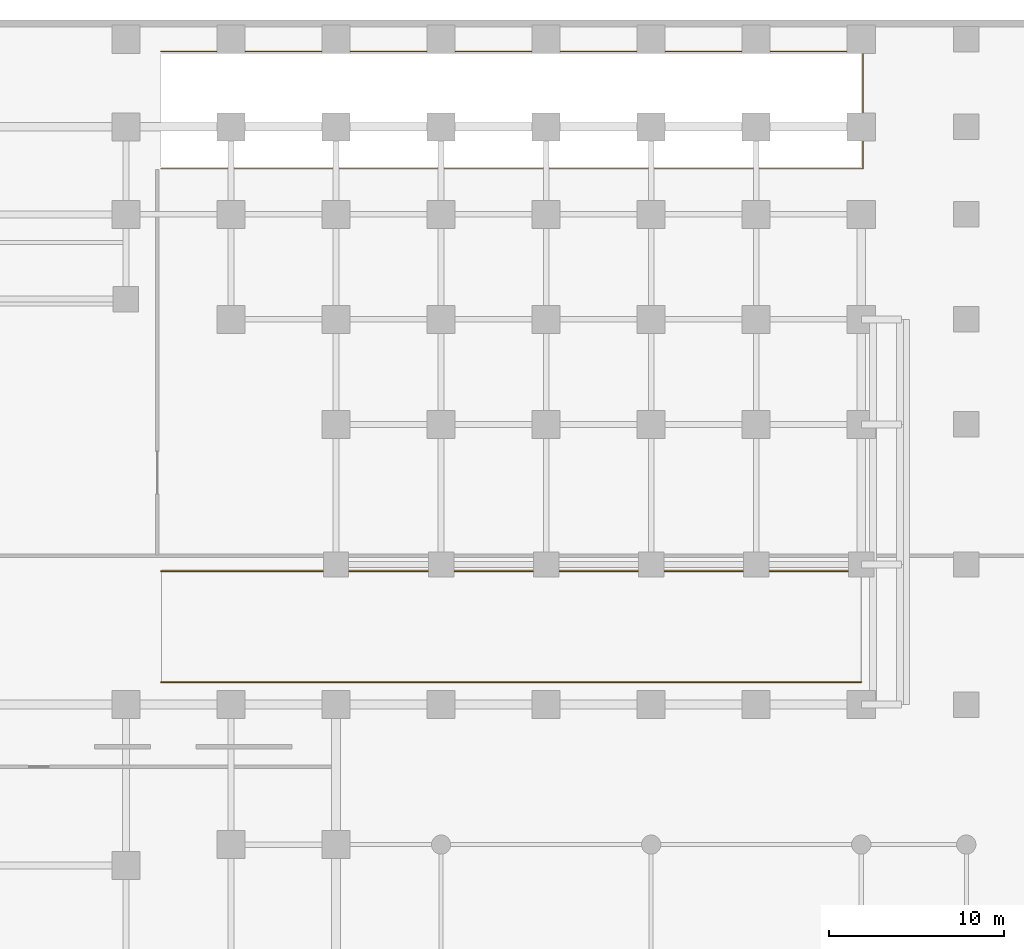
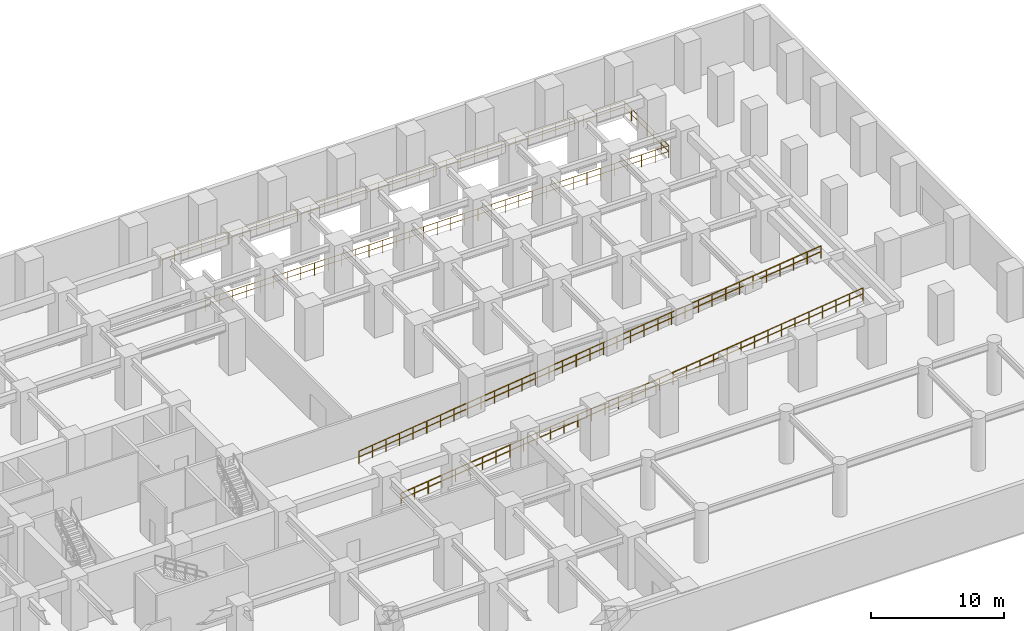
# One storey, part 9 of 9: 3 railings.
"""IFC4 building model written with IfcOpenShell, lengths in metres."""

from ifc_helpers import new_model, si_unit, direction, frame, origin, origin_2d, place, context, subcontext, project, spatial, circle, extrude, material, type_object, element, save


model = new_model("IFC4")

# Units and contexts
model_context = context("Model", 3, precision=1e-05, world=origin(), true_north=direction((0.0, 1.0)))
body_context = subcontext(model_context, "Body", "Model", "MODEL_VIEW")
ifc_project = project(units=[si_unit("LENGTHUNIT", "METRE"), si_unit("AREAUNIT", "SQUARE_METRE"), si_unit("VOLUMEUNIT", "CUBIC_METRE"), si_unit("PLANEANGLEUNIT", "RADIAN"), si_unit("MASSUNIT", "GRAM", prefix="KILO")], contexts=[model_context])

# Site, building, storey
site_placement = place(None, origin())
site = spatial("IfcSite", under=ifc_project, at=site_placement, CompositionType="ELEMENT")
building_placement = place(site_placement, origin())
building = spatial("IfcBuilding", under=site, at=building_placement, Name="Torre Montelarca", CompositionType="ELEMENT")
storey_placement = place(building_placement, frame((0.0, 0.0, -4.800048828125)))
storey = spatial("IfcBuildingStorey", under=building, at=storey_placement, Name="B1", CompositionType="ELEMENT", Elevation=-4.800048828125)

# Railings
ifc_material = material(Name="Stainless steel AISI 316 and laminated glass", Category="steel")
railing_type = type_object("IfcRailingType", Name="RL-INT-GUARD-1150", PredefinedType="BALUSTRADE", material=ifc_material)
railing_1_placement = place(storey_placement, frame((38.0, 54.60009765625, 0.0)))
element("IfcRailing", 1, at=railing_1_placement, inside=storey, type_object=railing_type, Name="B1 Vehicle Ramp Well Perimeter Guard", PredefinedType="BALUSTRADE", context=body_context, shape_type="SweptSolid", body=[
    extrude(circle(Radius=0.02392578125, at=origin_2d()), frame((0.0, 0.0, 1.1259765625), z_axis=(1.0, 0.0, 0.0), x_axis=(0.0, 1.0, 0.0)), (0.0, 0.0, 1.0), 40.10009765625),
    extrude(circle(Radius=0.02099609375, at=origin_2d()), frame((0.0, 0.0, 0.597900390625), z_axis=(1.0, 0.0, 0.0), x_axis=(0.0, 1.0, 0.0)), (0.0, 0.0, 1.0), 40.10009765625),
    extrude(circle(Radius=0.02392578125, at=origin_2d()), frame((40.10009765625, 0.0, 1.1259765625), z_axis=(0.0, 1.0, 0.0), x_axis=(-1.0, 0.0, 0.0)), (0.0, 0.0, 1.0), 6.699951171875),
    extrude(circle(Radius=0.02099609375, at=origin_2d()), frame((40.10009765625, 0.0, 0.597900390625), z_axis=(0.0, 1.0, 0.0), x_axis=(-1.0, 0.0, 0.0)), (0.0, 0.0, 1.0), 6.699951171875),
    extrude(circle(Radius=0.02392578125, at=origin_2d()), frame((40.10009765625, 6.699951171875, 1.1259765625), z_axis=(-1.0, 0.0, 0.0), x_axis=(0.0, -1.0, 0.0)), (0.0, 0.0, 1.0), 40.10009765625),
    extrude(circle(Radius=0.02099609375, at=origin_2d()), frame((40.10009765625, 6.699951171875, 0.597900390625), z_axis=(-1.0, 0.0, 0.0), x_axis=(0.0, -1.0, 0.0)), (0.0, 0.0, 1.0), 40.10009765625),
    extrude(circle(Radius=0.02099609375, at=origin_2d()), origin(), (0.0, 0.0, 1.0), 1.101806640625),
    extrude(circle(Radius=0.02099609375, at=origin_2d()), frame((1.179443359375, 0.0, 0.0)), (0.0, 0.0, 1.0), 1.101806640625),
    extrude(circle(Radius=0.02099609375, at=origin_2d()), frame((2.35888671875, 0.0, 0.0)), (0.0, 0.0, 1.0), 1.101806640625),
    extrude(circle(Radius=0.02099609375, at=origin_2d()), frame((3.538330078125, 0.0, 0.0)), (0.0, 0.0, 1.0), 1.101806640625),
    extrude(circle(Radius=0.02099609375, at=origin_2d()), frame((4.7177734375, 0.0, 0.0)), (0.0, 0.0, 1.0), 1.101806640625),
    extrude(circle(Radius=0.02099609375, at=origin_2d()), frame((5.89697265625, 0.0, 0.0)), (0.0, 0.0, 1.0), 1.101806640625),
    extrude(circle(Radius=0.02099609375, at=origin_2d()), frame((7.076416015625, 0.0, 0.0)), (0.0, 0.0, 1.0), 1.101806640625),
    extrude(circle(Radius=0.02099609375, at=origin_2d()), frame((8.255859375, 0.0, 0.0)), (0.0, 0.0, 1.0), 1.101806640625),
    extrude(circle(Radius=0.02099609375, at=origin_2d()), frame((9.435302734375, 0.0, 0.0)), (0.0, 0.0, 1.0), 1.101806640625),
    extrude(circle(Radius=0.02099609375, at=origin_2d()), frame((10.61474609375, 0.0, 0.0)), (0.0, 0.0, 1.0), 1.101806640625),
    extrude(circle(Radius=0.02099609375, at=origin_2d()), frame((11.794189453125, 0.0, 0.0)), (0.0, 0.0, 1.0), 1.101806640625),
    extrude(circle(Radius=0.02099609375, at=origin_2d()), frame((12.9736328125, 0.0, 0.0)), (0.0, 0.0, 1.0), 1.101806640625),
    extrude(circle(Radius=0.02099609375, at=origin_2d()), frame((14.153076171875, 0.0, 0.0)), (0.0, 0.0, 1.0), 1.101806640625),
    extrude(circle(Radius=0.02099609375, at=origin_2d()), frame((15.332275390625, 0.0, 0.0)), (0.0, 0.0, 1.0), 1.101806640625),
    extrude(circle(Radius=0.02099609375, at=origin_2d()), frame((16.51171875, 0.0, 0.0)), (0.0, 0.0, 1.0), 1.101806640625),
    extrude(circle(Radius=0.02099609375, at=origin_2d()), frame((17.691162109375, 0.0, 0.0)), (0.0, 0.0, 1.0), 1.101806640625),
    extrude(circle(Radius=0.02099609375, at=origin_2d()), frame((18.87060546875, 0.0, 0.0)), (0.0, 0.0, 1.0), 1.101806640625),
    extrude(circle(Radius=0.02099609375, at=origin_2d()), frame((20.050048828125, 0.0, 0.0)), (0.0, 0.0, 1.0), 1.101806640625),
    extrude(circle(Radius=0.02099609375, at=origin_2d()), frame((21.2294921875, 0.0, 0.0)), (0.0, 0.0, 1.0), 1.101806640625),
    extrude(circle(Radius=0.02099609375, at=origin_2d()), frame((22.408935546875, 0.0, 0.0)), (0.0, 0.0, 1.0), 1.101806640625),
    extrude(circle(Radius=0.02099609375, at=origin_2d()), frame((23.58837890625, 0.0, 0.0)), (0.0, 0.0, 1.0), 1.101806640625),
    extrude(circle(Radius=0.02099609375, at=origin_2d()), frame((24.767822265625, 0.0, 0.0)), (0.0, 0.0, 1.0), 1.101806640625),
    extrude(circle(Radius=0.02099609375, at=origin_2d()), frame((25.947021484375, 0.0, 0.0)), (0.0, 0.0, 1.0), 1.101806640625),
    extrude(circle(Radius=0.02099609375, at=origin_2d()), frame((27.12646484375, 0.0, 0.0)), (0.0, 0.0, 1.0), 1.101806640625),
    extrude(circle(Radius=0.02099609375, at=origin_2d()), frame((28.305908203125, 0.0, 0.0)), (0.0, 0.0, 1.0), 1.101806640625),
    extrude(circle(Radius=0.02099609375, at=origin_2d()), frame((29.4853515625, 0.0, 0.0)), (0.0, 0.0, 1.0), 1.101806640625),
    extrude(circle(Radius=0.02099609375, at=origin_2d()), frame((30.664794921875, 0.0, 0.0)), (0.0, 0.0, 1.0), 1.101806640625),
    extrude(circle(Radius=0.02099609375, at=origin_2d()), frame((31.84423828125, 0.0, 0.0)), (0.0, 0.0, 1.0), 1.101806640625),
    extrude(circle(Radius=0.02099609375, at=origin_2d()), frame((33.023681640625, 0.0, 0.0)), (0.0, 0.0, 1.0), 1.101806640625),
    extrude(circle(Radius=0.02099609375, at=origin_2d()), frame((34.203125, 0.0, 0.0)), (0.0, 0.0, 1.0), 1.101806640625),
    extrude(circle(Radius=0.02099609375, at=origin_2d()), frame((35.38232421875, 0.0, 0.0)), (0.0, 0.0, 1.0), 1.101806640625),
    extrude(circle(Radius=0.02099609375, at=origin_2d()), frame((36.561767578125, 0.0, 0.0)), (0.0, 0.0, 1.0), 1.101806640625),
    extrude(circle(Radius=0.02099609375, at=origin_2d()), frame((37.7412109375, 0.0, 0.0)), (0.0, 0.0, 1.0), 1.101806640625),
    extrude(circle(Radius=0.02099609375, at=origin_2d()), frame((38.920654296875, 0.0, 0.0)), (0.0, 0.0, 1.0), 1.101806640625),
    extrude(circle(Radius=0.02099609375, at=origin_2d()), frame((40.10009765625, 0.0, 0.0)), (0.0, 0.0, 1.0), 1.101806640625),
    extrude(circle(Radius=0.02099609375, at=origin_2d()), frame((40.10009765625, 1.11669921875, 0.0)), (0.0, 0.0, 1.0), 1.101806640625),
    extrude(circle(Radius=0.02099609375, at=origin_2d()), frame((40.10009765625, 2.2333984375, 0.0)), (0.0, 0.0, 1.0), 1.101806640625),
    extrude(circle(Radius=0.02099609375, at=origin_2d()), frame((40.10009765625, 3.35009765625, 0.0)), (0.0, 0.0, 1.0), 1.101806640625),
    extrude(circle(Radius=0.02099609375, at=origin_2d()), frame((40.10009765625, 4.466552734375, 0.0)), (0.0, 0.0, 1.0), 1.101806640625),
    extrude(circle(Radius=0.02099609375, at=origin_2d()), frame((40.10009765625, 5.583251953125, 0.0)), (0.0, 0.0, 1.0), 1.101806640625),
    extrude(circle(Radius=0.02099609375, at=origin_2d()), frame((40.10009765625, 6.699951171875, 0.0)), (0.0, 0.0, 1.0), 1.101806640625),
    extrude(circle(Radius=0.02099609375, at=origin_2d()), frame((38.920654296875, 6.699951171875, 0.0)), (0.0, 0.0, 1.0), 1.101806640625),
    extrude(circle(Radius=0.02099609375, at=origin_2d()), frame((37.7412109375, 6.699951171875, 0.0)), (0.0, 0.0, 1.0), 1.101806640625),
    extrude(circle(Radius=0.02099609375, at=origin_2d()), frame((36.561767578125, 6.699951171875, 0.0)), (0.0, 0.0, 1.0), 1.101806640625),
    extrude(circle(Radius=0.02099609375, at=origin_2d()), frame((35.38232421875, 6.699951171875, 0.0)), (0.0, 0.0, 1.0), 1.101806640625),
    extrude(circle(Radius=0.02099609375, at=origin_2d()), frame((34.203125, 6.699951171875, 0.0)), (0.0, 0.0, 1.0), 1.101806640625),
    extrude(circle(Radius=0.02099609375, at=origin_2d()), frame((33.023681640625, 6.699951171875, 0.0)), (0.0, 0.0, 1.0), 1.101806640625),
    extrude(circle(Radius=0.02099609375, at=origin_2d()), frame((31.84423828125, 6.699951171875, 0.0)), (0.0, 0.0, 1.0), 1.101806640625),
    extrude(circle(Radius=0.02099609375, at=origin_2d()), frame((30.664794921875, 6.699951171875, 0.0)), (0.0, 0.0, 1.0), 1.101806640625),
    extrude(circle(Radius=0.02099609375, at=origin_2d()), frame((29.4853515625, 6.699951171875, 0.0)), (0.0, 0.0, 1.0), 1.101806640625),
    extrude(circle(Radius=0.02099609375, at=origin_2d()), frame((28.305908203125, 6.699951171875, 0.0)), (0.0, 0.0, 1.0), 1.101806640625),
    extrude(circle(Radius=0.02099609375, at=origin_2d()), frame((27.12646484375, 6.699951171875, 0.0)), (0.0, 0.0, 1.0), 1.101806640625),
    extrude(circle(Radius=0.02099609375, at=origin_2d()), frame((25.947021484375, 6.699951171875, 0.0)), (0.0, 0.0, 1.0), 1.101806640625),
    extrude(circle(Radius=0.02099609375, at=origin_2d()), frame((24.767822265625, 6.699951171875, 0.0)), (0.0, 0.0, 1.0), 1.101806640625),
    extrude(circle(Radius=0.02099609375, at=origin_2d()), frame((23.58837890625, 6.699951171875, 0.0)), (0.0, 0.0, 1.0), 1.101806640625),
    extrude(circle(Radius=0.02099609375, at=origin_2d()), frame((22.408935546875, 6.699951171875, 0.0)), (0.0, 0.0, 1.0), 1.101806640625),
    extrude(circle(Radius=0.02099609375, at=origin_2d()), frame((21.2294921875, 6.699951171875, 0.0)), (0.0, 0.0, 1.0), 1.101806640625),
    extrude(circle(Radius=0.02099609375, at=origin_2d()), frame((20.050048828125, 6.699951171875, 0.0)), (0.0, 0.0, 1.0), 1.101806640625),
    extrude(circle(Radius=0.02099609375, at=origin_2d()), frame((18.87060546875, 6.699951171875, 0.0)), (0.0, 0.0, 1.0), 1.101806640625),
    extrude(circle(Radius=0.02099609375, at=origin_2d()), frame((17.691162109375, 6.699951171875, 0.0)), (0.0, 0.0, 1.0), 1.101806640625),
    extrude(circle(Radius=0.02099609375, at=origin_2d()), frame((16.51171875, 6.699951171875, 0.0)), (0.0, 0.0, 1.0), 1.101806640625),
    extrude(circle(Radius=0.02099609375, at=origin_2d()), frame((15.332275390625, 6.699951171875, 0.0)), (0.0, 0.0, 1.0), 1.101806640625),
    extrude(circle(Radius=0.02099609375, at=origin_2d()), frame((14.153076171875, 6.699951171875, 0.0)), (0.0, 0.0, 1.0), 1.101806640625),
    extrude(circle(Radius=0.02099609375, at=origin_2d()), frame((12.9736328125, 6.699951171875, 0.0)), (0.0, 0.0, 1.0), 1.101806640625),
    extrude(circle(Radius=0.02099609375, at=origin_2d()), frame((11.794189453125, 6.699951171875, 0.0)), (0.0, 0.0, 1.0), 1.101806640625),
    extrude(circle(Radius=0.02099609375, at=origin_2d()), frame((10.61474609375, 6.699951171875, 0.0)), (0.0, 0.0, 1.0), 1.101806640625),
    extrude(circle(Radius=0.02099609375, at=origin_2d()), frame((9.435302734375, 6.699951171875, 0.0)), (0.0, 0.0, 1.0), 1.101806640625),
    extrude(circle(Radius=0.02099609375, at=origin_2d()), frame((8.255859375, 6.699951171875, 0.0)), (0.0, 0.0, 1.0), 1.101806640625),
    extrude(circle(Radius=0.02099609375, at=origin_2d()), frame((7.076416015625, 6.699951171875, 0.0)), (0.0, 0.0, 1.0), 1.101806640625),
    extrude(circle(Radius=0.02099609375, at=origin_2d()), frame((5.89697265625, 6.699951171875, 0.0)), (0.0, 0.0, 1.0), 1.101806640625),
    extrude(circle(Radius=0.02099609375, at=origin_2d()), frame((4.7177734375, 6.699951171875, 0.0)), (0.0, 0.0, 1.0), 1.101806640625),
    extrude(circle(Radius=0.02099609375, at=origin_2d()), frame((3.538330078125, 6.699951171875, 0.0)), (0.0, 0.0, 1.0), 1.101806640625),
    extrude(circle(Radius=0.02099609375, at=origin_2d()), frame((2.35888671875, 6.699951171875, 0.0)), (0.0, 0.0, 1.0), 1.101806640625),
    extrude(circle(Radius=0.02099609375, at=origin_2d()), frame((1.179443359375, 6.699951171875, 0.0)), (0.0, 0.0, 1.0), 1.101806640625),
    extrude(circle(Radius=0.02099609375, at=origin_2d()), frame((0.0, 6.699951171875, 0.0)), (0.0, 0.0, 1.0), 1.101806640625),
])
railing_2_placement = place(storey_placement, frame((38.0, 25.280029296875, 0.0)))
element("IfcRailing", 2, at=railing_2_placement, inside=storey, type_object=railing_type, Name="B1 Vehicle Ramp R2 Sloped Side Guard S", PredefinedType="BALUSTRADE", context=body_context, shape_type="SweptSolid", body=[
    extrude(circle(Radius=0.02392578125, at=origin_2d()), frame((0.0, 0.0, 1.1259765625), z_axis=(0.99287669511, 0.0, 0.119146415421), x_axis=(0.0, 1.0, 0.0)), (0.0, 0.0, 1.0), 40.286865234375),
    extrude(circle(Radius=0.02099609375, at=origin_2d()), frame((0.0, 0.0, 0.597900390625), z_axis=(0.99287669511, 0.0, 0.119146415421), x_axis=(0.0, 1.0, 0.0)), (0.0, 0.0, 1.0), 40.286865234375),
    extrude(circle(Radius=0.02099609375, at=origin_2d()), origin(), (0.0, 0.0, 1.0), 1.101806640625),
    extrude(circle(Radius=0.02099609375, at=origin_2d()), frame((1.176513671875, 0.0, 0.14111328125)), (0.0, 0.0, 1.0), 1.101806640625),
    extrude(circle(Radius=0.02099609375, at=origin_2d()), frame((2.35302734375, 0.0, 0.282470703125)), (0.0, 0.0, 1.0), 1.101806640625),
    extrude(circle(Radius=0.02099609375, at=origin_2d()), frame((3.529296875, 0.0, 0.423583984375)), (0.0, 0.0, 1.0), 1.101806640625),
    extrude(circle(Radius=0.02099609375, at=origin_2d()), frame((4.705810546875, 0.0, 0.564697265625)), (0.0, 0.0, 1.0), 1.101806640625),
    extrude(circle(Radius=0.02099609375, at=origin_2d()), frame((5.88232421875, 0.0, 0.705810546875)), (0.0, 0.0, 1.0), 1.101806640625),
    extrude(circle(Radius=0.02099609375, at=origin_2d()), frame((7.058837890625, 0.0, 0.84716796875)), (0.0, 0.0, 1.0), 1.101806640625),
    extrude(circle(Radius=0.02099609375, at=origin_2d()), frame((8.2353515625, 0.0, 0.98828125)), (0.0, 0.0, 1.0), 1.101806640625),
    extrude(circle(Radius=0.02099609375, at=origin_2d()), frame((9.411865234375, 0.0, 1.12939453125)), (0.0, 0.0, 1.0), 1.101806640625),
    extrude(circle(Radius=0.02099609375, at=origin_2d()), frame((10.588134765625, 0.0, 1.2705078125)), (0.0, 0.0, 1.0), 1.101806640625),
    extrude(circle(Radius=0.02099609375, at=origin_2d()), frame((11.7646484375, 0.0, 1.411865234375)), (0.0, 0.0, 1.0), 1.101806640625),
    extrude(circle(Radius=0.02099609375, at=origin_2d()), frame((12.941162109375, 0.0, 1.552978515625)), (0.0, 0.0, 1.0), 1.101806640625),
    extrude(circle(Radius=0.02099609375, at=origin_2d()), frame((14.11767578125, 0.0, 1.694091796875)), (0.0, 0.0, 1.0), 1.101806640625),
    extrude(circle(Radius=0.02099609375, at=origin_2d()), frame((15.294189453125, 0.0, 1.835205078125)), (0.0, 0.0, 1.0), 1.101806640625),
    extrude(circle(Radius=0.02099609375, at=origin_2d()), frame((16.470703125, 0.0, 1.9765625)), (0.0, 0.0, 1.0), 1.101806640625),
    extrude(circle(Radius=0.02099609375, at=origin_2d()), frame((17.64697265625, 0.0, 2.11767578125)), (0.0, 0.0, 1.0), 1.101806640625),
    extrude(circle(Radius=0.02099609375, at=origin_2d()), frame((18.823486328125, 0.0, 2.2587890625)), (0.0, 0.0, 1.0), 1.101806640625),
    extrude(circle(Radius=0.02099609375, at=origin_2d()), frame((20.0, 0.0, 2.39990234375)), (0.0, 0.0, 1.0), 1.101806640625),
    extrude(circle(Radius=0.02099609375, at=origin_2d()), frame((21.176513671875, 0.0, 2.541259765625)), (0.0, 0.0, 1.0), 1.101806640625),
    extrude(circle(Radius=0.02099609375, at=origin_2d()), frame((22.35302734375, 0.0, 2.682373046875)), (0.0, 0.0, 1.0), 1.101806640625),
    extrude(circle(Radius=0.02099609375, at=origin_2d()), frame((23.529296875, 0.0, 2.823486328125)), (0.0, 0.0, 1.0), 1.101806640625),
    extrude(circle(Radius=0.02099609375, at=origin_2d()), frame((24.705810546875, 0.0, 2.96484375)), (0.0, 0.0, 1.0), 1.101806640625),
    extrude(circle(Radius=0.02099609375, at=origin_2d()), frame((25.88232421875, 0.0, 3.10595703125)), (0.0, 0.0, 1.0), 1.101806640625),
    extrude(circle(Radius=0.02099609375, at=origin_2d()), frame((27.058837890625, 0.0, 3.2470703125)), (0.0, 0.0, 1.0), 1.101806640625),
    extrude(circle(Radius=0.02099609375, at=origin_2d()), frame((28.2353515625, 0.0, 3.38818359375)), (0.0, 0.0, 1.0), 1.101806640625),
    extrude(circle(Radius=0.02099609375, at=origin_2d()), frame((29.411865234375, 0.0, 3.529541015625)), (0.0, 0.0, 1.0), 1.101806640625),
    extrude(circle(Radius=0.02099609375, at=origin_2d()), frame((30.588134765625, 0.0, 3.670654296875)), (0.0, 0.0, 1.0), 1.101806640625),
    extrude(circle(Radius=0.02099609375, at=origin_2d()), frame((31.7646484375, 0.0, 3.811767578125)), (0.0, 0.0, 1.0), 1.101806640625),
    extrude(circle(Radius=0.02099609375, at=origin_2d()), frame((32.941162109375, 0.0, 3.952880859375)), (0.0, 0.0, 1.0), 1.101806640625),
    extrude(circle(Radius=0.02099609375, at=origin_2d()), frame((34.11767578125, 0.0, 4.09423828125)), (0.0, 0.0, 1.0), 1.101806640625),
    extrude(circle(Radius=0.02099609375, at=origin_2d()), frame((35.294189453125, 0.0, 4.2353515625)), (0.0, 0.0, 1.0), 1.101806640625),
    extrude(circle(Radius=0.02099609375, at=origin_2d()), frame((36.470703125, 0.0, 4.37646484375)), (0.0, 0.0, 1.0), 1.101806640625),
    extrude(circle(Radius=0.02099609375, at=origin_2d()), frame((37.64697265625, 0.0, 4.517578125)), (0.0, 0.0, 1.0), 1.101806640625),
    extrude(circle(Radius=0.02099609375, at=origin_2d()), frame((38.823486328125, 0.0, 4.658935546875)), (0.0, 0.0, 1.0), 1.101806640625),
    extrude(circle(Radius=0.02099609375, at=origin_2d()), frame((40.0, 0.0, 4.800048828125)), (0.0, 0.0, 1.0), 1.101806640625),
])
railing_3_placement = place(storey_placement, frame((38.0, 31.6201171875, 0.0)))
element("IfcRailing", 3, at=railing_3_placement, inside=storey, type_object=railing_type, Name="B1 Vehicle Ramp R2 Sloped Side Guard N", PredefinedType="BALUSTRADE", context=body_context, shape_type="SweptSolid", body=[
    extrude(circle(Radius=0.02392578125, at=origin_2d()), frame((0.0, 0.0, 1.1259765625), z_axis=(0.99287669511, 0.0, 0.119146415421), x_axis=(0.0, 1.0, 0.0)), (0.0, 0.0, 1.0), 40.286865234375),
    extrude(circle(Radius=0.02099609375, at=origin_2d()), frame((0.0, 0.0, 0.597900390625), z_axis=(0.99287669511, 0.0, 0.119146415421), x_axis=(0.0, 1.0, 0.0)), (0.0, 0.0, 1.0), 40.286865234375),
    extrude(circle(Radius=0.02099609375, at=origin_2d()), origin(), (0.0, 0.0, 1.0), 1.101806640625),
    extrude(circle(Radius=0.02099609375, at=origin_2d()), frame((1.176513671875, 0.0, 0.14111328125)), (0.0, 0.0, 1.0), 1.101806640625),
    extrude(circle(Radius=0.02099609375, at=origin_2d()), frame((2.35302734375, 0.0, 0.282470703125)), (0.0, 0.0, 1.0), 1.101806640625),
    extrude(circle(Radius=0.02099609375, at=origin_2d()), frame((3.529296875, 0.0, 0.423583984375)), (0.0, 0.0, 1.0), 1.101806640625),
    extrude(circle(Radius=0.02099609375, at=origin_2d()), frame((4.705810546875, 0.0, 0.564697265625)), (0.0, 0.0, 1.0), 1.101806640625),
    extrude(circle(Radius=0.02099609375, at=origin_2d()), frame((5.88232421875, 0.0, 0.705810546875)), (0.0, 0.0, 1.0), 1.101806640625),
    extrude(circle(Radius=0.02099609375, at=origin_2d()), frame((7.058837890625, 0.0, 0.84716796875)), (0.0, 0.0, 1.0), 1.101806640625),
    extrude(circle(Radius=0.02099609375, at=origin_2d()), frame((8.2353515625, 0.0, 0.98828125)), (0.0, 0.0, 1.0), 1.101806640625),
    extrude(circle(Radius=0.02099609375, at=origin_2d()), frame((9.411865234375, 0.0, 1.12939453125)), (0.0, 0.0, 1.0), 1.101806640625),
    extrude(circle(Radius=0.02099609375, at=origin_2d()), frame((10.588134765625, 0.0, 1.2705078125)), (0.0, 0.0, 1.0), 1.101806640625),
    extrude(circle(Radius=0.02099609375, at=origin_2d()), frame((11.7646484375, 0.0, 1.411865234375)), (0.0, 0.0, 1.0), 1.101806640625),
    extrude(circle(Radius=0.02099609375, at=origin_2d()), frame((12.941162109375, 0.0, 1.552978515625)), (0.0, 0.0, 1.0), 1.101806640625),
    extrude(circle(Radius=0.02099609375, at=origin_2d()), frame((14.11767578125, 0.0, 1.694091796875)), (0.0, 0.0, 1.0), 1.101806640625),
    extrude(circle(Radius=0.02099609375, at=origin_2d()), frame((15.294189453125, 0.0, 1.835205078125)), (0.0, 0.0, 1.0), 1.101806640625),
    extrude(circle(Radius=0.02099609375, at=origin_2d()), frame((16.470703125, 0.0, 1.9765625)), (0.0, 0.0, 1.0), 1.101806640625),
    extrude(circle(Radius=0.02099609375, at=origin_2d()), frame((17.64697265625, 0.0, 2.11767578125)), (0.0, 0.0, 1.0), 1.101806640625),
    extrude(circle(Radius=0.02099609375, at=origin_2d()), frame((18.823486328125, 0.0, 2.2587890625)), (0.0, 0.0, 1.0), 1.101806640625),
    extrude(circle(Radius=0.02099609375, at=origin_2d()), frame((20.0, 0.0, 2.39990234375)), (0.0, 0.0, 1.0), 1.101806640625),
    extrude(circle(Radius=0.02099609375, at=origin_2d()), frame((21.176513671875, 0.0, 2.541259765625)), (0.0, 0.0, 1.0), 1.101806640625),
    extrude(circle(Radius=0.02099609375, at=origin_2d()), frame((22.35302734375, 0.0, 2.682373046875)), (0.0, 0.0, 1.0), 1.101806640625),
    extrude(circle(Radius=0.02099609375, at=origin_2d()), frame((23.529296875, 0.0, 2.823486328125)), (0.0, 0.0, 1.0), 1.101806640625),
    extrude(circle(Radius=0.02099609375, at=origin_2d()), frame((24.705810546875, 0.0, 2.96484375)), (0.0, 0.0, 1.0), 1.101806640625),
    extrude(circle(Radius=0.02099609375, at=origin_2d()), frame((25.88232421875, 0.0, 3.10595703125)), (0.0, 0.0, 1.0), 1.101806640625),
    extrude(circle(Radius=0.02099609375, at=origin_2d()), frame((27.058837890625, 0.0, 3.2470703125)), (0.0, 0.0, 1.0), 1.101806640625),
    extrude(circle(Radius=0.02099609375, at=origin_2d()), frame((28.2353515625, 0.0, 3.38818359375)), (0.0, 0.0, 1.0), 1.101806640625),
    extrude(circle(Radius=0.02099609375, at=origin_2d()), frame((29.411865234375, 0.0, 3.529541015625)), (0.0, 0.0, 1.0), 1.101806640625),
    extrude(circle(Radius=0.02099609375, at=origin_2d()), frame((30.588134765625, 0.0, 3.670654296875)), (0.0, 0.0, 1.0), 1.101806640625),
    extrude(circle(Radius=0.02099609375, at=origin_2d()), frame((31.7646484375, 0.0, 3.811767578125)), (0.0, 0.0, 1.0), 1.101806640625),
    extrude(circle(Radius=0.02099609375, at=origin_2d()), frame((32.941162109375, 0.0, 3.952880859375)), (0.0, 0.0, 1.0), 1.101806640625),
    extrude(circle(Radius=0.02099609375, at=origin_2d()), frame((34.11767578125, 0.0, 4.09423828125)), (0.0, 0.0, 1.0), 1.101806640625),
    extrude(circle(Radius=0.02099609375, at=origin_2d()), frame((35.294189453125, 0.0, 4.2353515625)), (0.0, 0.0, 1.0), 1.101806640625),
    extrude(circle(Radius=0.02099609375, at=origin_2d()), frame((36.470703125, 0.0, 4.37646484375)), (0.0, 0.0, 1.0), 1.101806640625),
    extrude(circle(Radius=0.02099609375, at=origin_2d()), frame((37.64697265625, 0.0, 4.517578125)), (0.0, 0.0, 1.0), 1.101806640625),
    extrude(circle(Radius=0.02099609375, at=origin_2d()), frame((38.823486328125, 0.0, 4.658935546875)), (0.0, 0.0, 1.0), 1.101806640625),
    extrude(circle(Radius=0.02099609375, at=origin_2d()), frame((40.0, 0.0, 4.800048828125)), (0.0, 0.0, 1.0), 1.101806640625),
])

save(model, "model.ifc")
